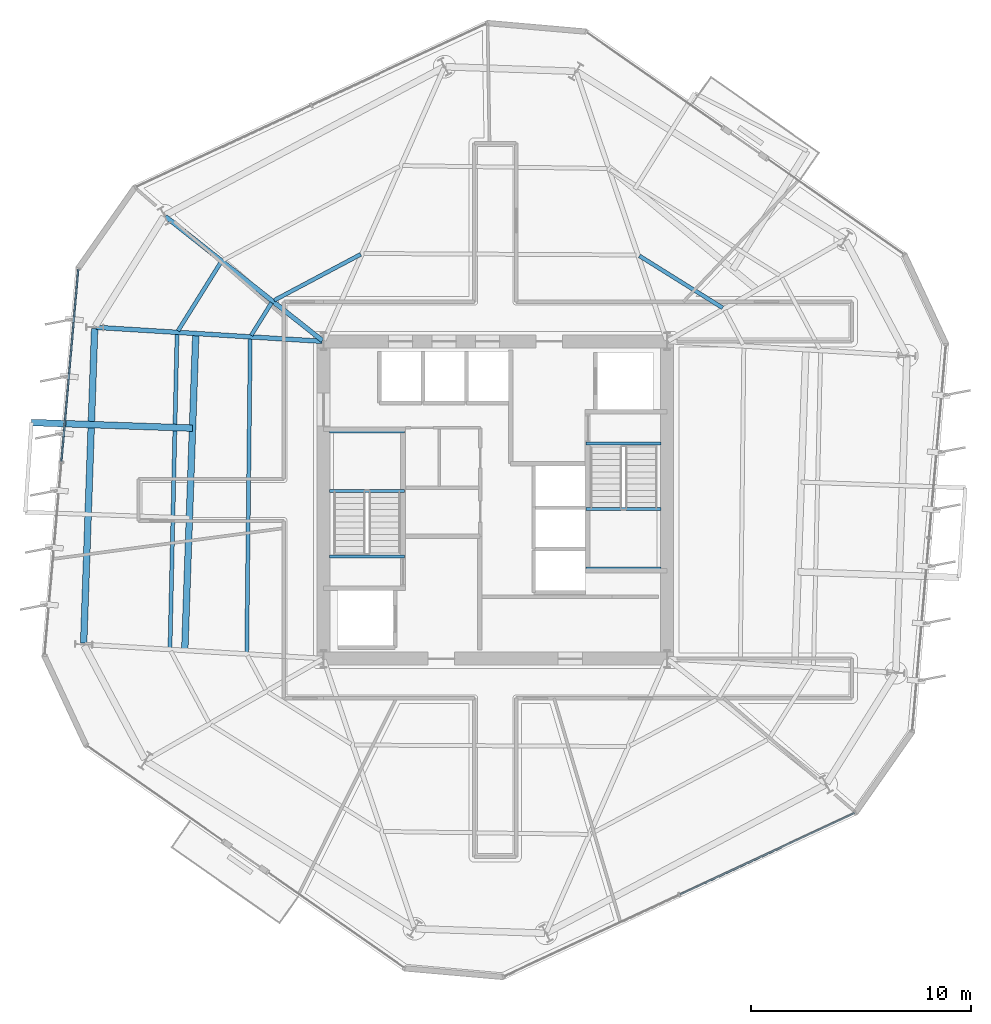
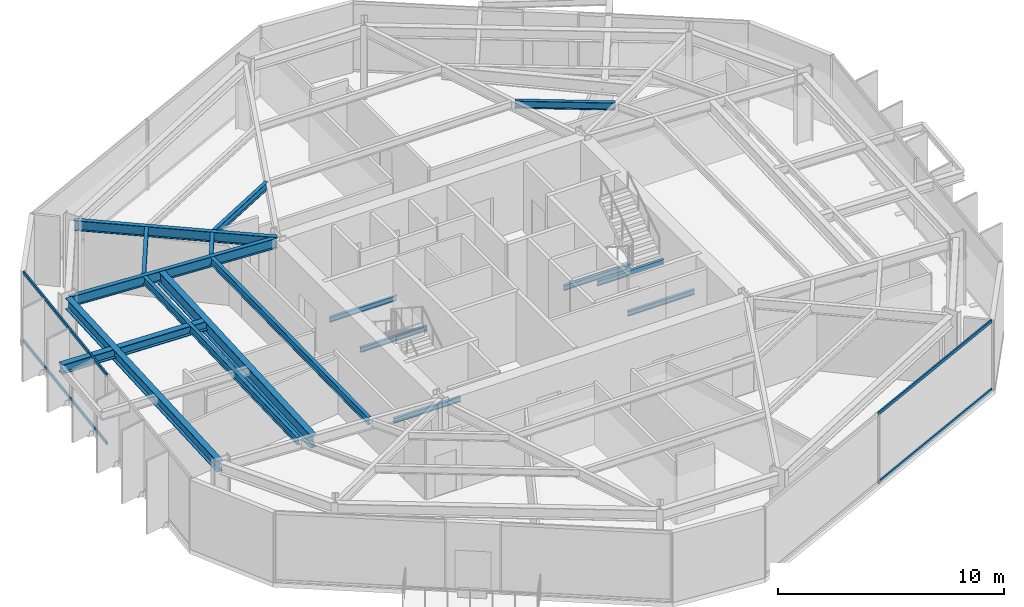
# One storey, part 3 of 12: 17 beams, 4 members, 2 elements without a shape of their own.
"""IFC4 building model written with IfcOpenShell, lengths in metres."""

from ifc_helpers import new_model, si_unit, direction, frame, origin, origin_2d, place, context, subcontext, project, spatial, rectangle, i_section, extrude, material, layer, layer_set, material_profile, profile_set, type_object, element, aggregate, save


model = new_model("IFC4")

# Units and contexts
model_context = context("Model", 3, precision=1e-05, world=origin(), true_north=direction((0.0, 1.0)))
body_context = subcontext(model_context, "Body", "Model", "MODEL_VIEW")
ifc_project = project(units=[si_unit("LENGTHUNIT", "METRE"), si_unit("AREAUNIT", "SQUARE_METRE"), si_unit("VOLUMEUNIT", "CUBIC_METRE"), si_unit("PLANEANGLEUNIT", "RADIAN"), si_unit("MASSUNIT", "GRAM", prefix="KILO")], contexts=[model_context])

# Site, building, storey
site_placement = place(None, origin())
site = spatial("IfcSite", under=ifc_project, at=site_placement, CompositionType="ELEMENT")
building_placement = place(site_placement, origin())
building = spatial("IfcBuilding", under=site, at=building_placement, Name="Kranzbogen Civic Tower", CompositionType="ELEMENT")
storey_placement = place(building_placement, frame((0.0, 0.0, 122.39990234375)))
storey = spatial("IfcBuildingStorey", under=building, at=storey_placement, Name="L29", CompositionType="ELEMENT", Elevation=122.39990234375)

# Curtain wall, members
ifc_material_1 = material(Name="Pale Anodised Aluminium", Category="aluminium")
ifc_layer = layer(ifc_material_1, 0.219970703125, Name="Pale Anodised Aluminium")
ifc_layer_set = layer_set([ifc_layer], Name="Pale Anodised Aluminium")
curtain_wall_type = type_object("IfcCurtainWallType", Name="Zone 2 Stick Curtain Wall System CW-03", PredefinedType="USERDEFINED", material=ifc_layer_set)
curtain_wall_1_placement = place(storey_placement, origin())
curtain_wall_1 = element("IfcCurtainWall", 1, at=curtain_wall_1_placement, inside=storey, type_object=curtain_wall_type, Name="L29 curtain wall CW-L29-F3", ObjectType="STICK CURTAIN WALL", PredefinedType="USERDEFINED")
ifc_material_profile_1 = material_profile(ifc_material_1, rectangle(XDim=0.074951171875, YDim=0.1650390625, at=origin_2d()), Name="ALU-T 75x165")
ifc_profile_set_1 = profile_set([ifc_material_profile_1], Name="Pale Anodised Aluminium")
member_type = type_object("IfcMemberType", Name="Curtain Wall Transom ALU-T 75x165", PredefinedType="USERDEFINED", material=ifc_profile_set_1)
member_1_placement = place(storey_placement, frame((6.06787109375, 35.464111328125, 0.030029296875), z_axis=(-0.087169374806, -0.996193505347, 0.0), x_axis=(0.996193505347, -0.087169374806, 0.0)))
member_1 = element("IfcMember", 2, at=member_1_placement, type_object=member_type, Name="CW-03 transom 1.1", ObjectType="TRANSOM", PredefinedType="USERDEFINED", context=body_context, shape_type="SweptSolid", body=[
    extrude(rectangle(XDim=0.074951171875, YDim=0.1650390625, at=origin_2d()), origin(), (0.0, 0.0, 1.0), 8.743896484375),
])
member_2_placement = place(storey_placement, frame((6.06787109375, 35.464111328125, 3.72998046875), z_axis=(-0.087169374806, -0.996193505347, 0.0), x_axis=(0.996193505347, -0.087169374806, 0.0)))
member_2 = element("IfcMember", 3, at=member_2_placement, type_object=member_type, Name="CW-03 transom 1.2", ObjectType="TRANSOM", PredefinedType="USERDEFINED", context=body_context, shape_type="SweptSolid", body=[
    extrude(rectangle(XDim=0.074951171875, YDim=0.1650390625, at=origin_2d()), origin(), (0.0, 0.0, 1.0), 8.743896484375),
])
aggregate(curtain_wall_1, [member_1, member_2])

curtain_wall_2_placement = place(storey_placement, origin())
curtain_wall_2 = element("IfcCurtainWall", 4, at=curtain_wall_2_placement, inside=storey, type_object=curtain_wall_type, Name="L29 curtain wall CW-L29-F5", ObjectType="STICK CURTAIN WALL", PredefinedType="USERDEFINED")
member_3_placement = place(storey_placement, frame((33.38330078125, 7.09326171875, 0.030029296875), z_axis=(0.906301519414, 0.422631702441, 0.0), x_axis=(-0.422631702441, 0.906301519414, 0.0)))
member_3 = element("IfcMember", 5, at=member_3_placement, type_object=member_type, Name="CW-03 transom 2.1", ObjectType="TRANSOM", PredefinedType="USERDEFINED", context=body_context, shape_type="SweptSolid", body=[
    extrude(rectangle(XDim=0.074951171875, YDim=0.1650390625, at=origin_2d()), origin(), (0.0, 0.0, 1.0), 8.74365234375),
])
member_4_placement = place(storey_placement, frame((33.38330078125, 7.09326171875, 3.72998046875), z_axis=(0.906301519414, 0.422631702441, 0.0), x_axis=(-0.422631702441, 0.906301519414, 0.0)))
member_4 = element("IfcMember", 6, at=member_4_placement, type_object=member_type, Name="CW-03 transom 2.2", ObjectType="TRANSOM", PredefinedType="USERDEFINED", context=body_context, shape_type="SweptSolid", body=[
    extrude(rectangle(XDim=0.074951171875, YDim=0.1650390625, at=origin_2d()), origin(), (0.0, 0.0, 1.0), 8.74365234375),
])
aggregate(curtain_wall_2, [member_3, member_4])

# Beams
ifc_material_2 = material(Name="Steel S355", Category="steel")
ifc_material_profile_2 = material_profile(ifc_material_2, i_section(OverallWidth=0.300048828125, OverallDepth=0.5, WebThickness=0.014404296875, FlangeThickness=0.028076171875, at=origin_2d()), Name="HEB 500")
ifc_profile_set_2 = profile_set([ifc_material_profile_2], Name="Steel S355")
beam_type_1 = type_object("IfcBeamType", Name="Perimeter Tube Spandrel Beam HEB 500", PredefinedType="SPANDREL", material=ifc_profile_set_2)
beam_1_placement = place(storey_placement, frame((11.25390625, 28.261962890625, 3.5), z_axis=(-0.999391319526, 0.034885390283, 0.0), x_axis=(-0.034885390283, -0.999391319526, 0.0)))
element("IfcBeam", 7, at=beam_1_placement, inside=storey, type_object=beam_type_1, Name="L30 back-spanned terrace beam L30-TB1-1", PredefinedType="SPANDREL", context=body_context, shape_type="SweptSolid", body=[
    extrude(i_section(OverallWidth=0.300048828125, OverallDepth=0.5, WebThickness=0.014404296875, FlangeThickness=0.028076171875, at=origin_2d()), origin(), (0.0, 0.0, 1.0), 7.313232421875),
])
ifc_material_profile_3 = material_profile(ifc_material_2, i_section(OverallWidth=0.300048828125, OverallDepth=0.60009765625, WebThickness=0.015380859375, FlangeThickness=0.030029296875, at=origin_2d()), Name="HEB 600")
ifc_profile_set_3 = profile_set([ifc_material_profile_3], Name="Steel S355")
beam_type_2 = type_object("IfcBeamType", Name="Perimeter Tube Spandrel Beam HEB 600", PredefinedType="SPANDREL", material=ifc_profile_set_3)
beam_2_placement = place(storey_placement, frame((6.81103515625, 32.783935546875, 3.460205078125), z_axis=(-0.034924229103, -0.999389963038, 0.0), x_axis=(0.999389963038, -0.034924229103, 0.0)))
element("IfcBeam", 8, at=beam_2_placement, inside=storey, type_object=beam_type_2, Name="L29 perimeter spandrel beam 12", PredefinedType="SPANDREL", context=body_context, shape_type="SweptSolid", body=[
    extrude(i_section(OverallWidth=0.300048828125, OverallDepth=0.60009765625, WebThickness=0.015380859375, FlangeThickness=0.030029296875, at=origin_2d()), origin(), (0.0, 0.0, 1.0), 14.288818359375),
])
ifc_material_profile_4 = material_profile(ifc_material_2, i_section(OverallWidth=0.300048828125, OverallDepth=0.699951171875, WebThickness=0.01708984375, FlangeThickness=0.031982421875, at=origin_2d()), Name="HEB 700")
ifc_profile_set_4 = profile_set([ifc_material_profile_4], Name="Steel S355")
beam_type_3 = type_object("IfcBeamType", Name="Perimeter Tube Spandrel Beam HEB 700", PredefinedType="SPANDREL", material=ifc_profile_set_4)
beam_3_placement = place(storey_placement, frame((11.404052734375, 32.55908203125, 3.400146484375), z_axis=(-0.034868227602, -0.99939191847, 0.0), x_axis=(0.99939191847, -0.034868227602, 0.0)))
element("IfcBeam", 9, at=beam_3_placement, inside=storey, type_object=beam_type_3, Name="L30 balcony back-span header girder L30-TB1", PredefinedType="SPANDREL", context=body_context, shape_type="SweptSolid", body=[
    extrude(i_section(OverallWidth=0.300048828125, OverallDepth=0.699951171875, WebThickness=0.01708984375, FlangeThickness=0.031982421875, at=origin_2d()), origin(), (0.0, 0.0, 1.0), 14.395751953125),
])
ifc_material_profile_5 = material_profile(ifc_material_2, i_section(OverallWidth=0.2099609375, OverallDepth=0.550048828125, WebThickness=0.010986328125, FlangeThickness=0.01708984375, at=origin_2d()), Name="IPE 550")
ifc_profile_set_5 = profile_set([ifc_material_profile_5], Name="Steel S355")
beam_type_4 = type_object("IfcBeamType", Name="Radial Tower Floor Girder IPE 550", PredefinedType="BEAM", material=ifc_profile_set_5)
beam_4_placement = place(storey_placement, frame((10.02392578125, 37.87109375, 3.485107421875), z_axis=(0.78457455683, -0.620034486763, 0.0), x_axis=(0.620034486763, 0.78457455683, 0.0)))
element("IfcBeam", 10, at=beam_4_placement, inside=storey, type_object=beam_type_4, Name="L29 radial floor girder 11", PredefinedType="BEAM", context=body_context, shape_type="SweptSolid", body=[
    extrude(i_section(OverallWidth=0.2099609375, OverallDepth=0.550048828125, WebThickness=0.010986328125, FlangeThickness=0.01708984375, at=origin_2d()), origin(), (0.0, 0.0, 1.0), 9.086669921875),
])
beam_5_placement = place(storey_placement, frame((6.873046875, 32.840087890625, 3.485107421875), z_axis=(0.998086872961, -0.061827130147, 0.0), x_axis=(0.061827130147, 0.998086872961, 0.0)))
element("IfcBeam", 11, at=beam_5_placement, inside=storey, type_object=beam_type_4, Name="L29 radial floor girder 12", PredefinedType="BEAM", context=body_context, shape_type="SweptSolid", body=[
    extrude(i_section(OverallWidth=0.2099609375, OverallDepth=0.550048828125, WebThickness=0.010986328125, FlangeThickness=0.01708984375, at=origin_2d()), origin(), (0.0, 0.0, 1.0), 10.28662109375),
])
ifc_material_profile_6 = material_profile(ifc_material_2, i_section(OverallWidth=0.179931640625, OverallDepth=0.39990234375, WebThickness=0.008544921875, FlangeThickness=0.013427734375, at=origin_2d()), Name="IPE 400")
ifc_profile_set_6 = profile_set([ifc_material_profile_6], Name="Steel S355")
beam_type_5 = type_object("IfcBeamType", Name="Secondary Composite Floor Joist IPE 400", PredefinedType="JOIST", material=ifc_profile_set_6)
beam_6_placement = place(storey_placement, frame((35.320068359375, 33.72412109375, 3.56005859375), z_axis=(-0.848093834398, 0.529846060716, 0.0), x_axis=(-0.529846060716, -0.848093834398, 0.0)))
element("IfcBeam", 12, at=beam_6_placement, inside=storey, type_object=beam_type_5, Name="L29 secondary floor joist 2.08", PredefinedType="JOIST", context=body_context, shape_type="SweptSolid", body=[
    extrude(i_section(OverallWidth=0.179931640625, OverallDepth=0.39990234375, WebThickness=0.008544921875, FlangeThickness=0.013427734375, at=origin_2d()), origin(), (0.0, 0.0, 1.0), 4.4501953125),
])
beam_7_placement = place(storey_placement, frame((18.888916015625, 36.153076171875, 3.56005859375), z_axis=(-0.882991399158, -0.469389165844, 0.0), x_axis=(0.469389165844, -0.882991399158, 0.0)))
element("IfcBeam", 13, at=beam_7_placement, inside=storey, type_object=beam_type_5, Name="L29 secondary floor joist 2.10", PredefinedType="JOIST", context=body_context, shape_type="SweptSolid", body=[
    extrude(i_section(OverallWidth=0.179931640625, OverallDepth=0.39990234375, WebThickness=0.008544921875, FlangeThickness=0.013427734375, at=origin_2d()), origin(), (0.0, 0.0, 1.0), 4.45068359375),
])
beam_8_placement = place(storey_placement, frame((12.534912109375, 35.784912109375, 3.56005859375), z_axis=(-0.529867065107, -0.848080711557, 0.0), x_axis=(0.848080711557, -0.529867065107, 0.0)))
element("IfcBeam", 14, at=beam_8_placement, inside=storey, type_object=beam_type_5, Name="L29 secondary floor joist 1.11", PredefinedType="JOIST", context=body_context, shape_type="SweptSolid", body=[
    extrude(i_section(OverallWidth=0.179931640625, OverallDepth=0.39990234375, WebThickness=0.008544921875, FlangeThickness=0.013427734375, at=origin_2d()), origin(), (0.0, 0.0, 1.0), 3.6611328125),
])
beam_9_placement = place(storey_placement, frame((14.845947265625, 33.958984375, 3.56005859375), z_axis=(-0.529572623603, -0.84826460278, 0.0), x_axis=(0.84826460278, -0.529572623603, 0.0)))
element("IfcBeam", 15, at=beam_9_placement, inside=storey, type_object=beam_type_5, Name="L29 secondary floor joist 2.11", PredefinedType="JOIST", context=body_context, shape_type="SweptSolid", body=[
    extrude(i_section(OverallWidth=0.179931640625, OverallDepth=0.39990234375, WebThickness=0.008544921875, FlangeThickness=0.013427734375, at=origin_2d()), origin(), (0.0, 0.0, 1.0), 1.75048828125),
])
beam_10_placement = place(storey_placement, frame((10.551025390625, 32.531982421875, 3.56005859375), z_axis=(-0.022402523442, -0.999749031979, 0.0), x_axis=(0.999749031979, -0.022402523442, 0.0)))
element("IfcBeam", 16, at=beam_10_placement, inside=storey, type_object=beam_type_5, Name="L29 secondary floor joist 1.12", PredefinedType="JOIST", context=body_context, shape_type="SweptSolid", body=[
    extrude(i_section(OverallWidth=0.179931640625, OverallDepth=0.39990234375, WebThickness=0.008544921875, FlangeThickness=0.013427734375, at=origin_2d()), origin(), (0.0, 0.0, 1.0), 14.24365234375),
])
beam_11_placement = place(storey_placement, frame((13.875, 32.325927734375, 3.56005859375), z_axis=(-0.011160516663, -0.999937719494, 0.0), x_axis=(0.999937719494, -0.011160516663, 0.0)))
element("IfcBeam", 17, at=beam_11_placement, inside=storey, type_object=beam_type_5, Name="L29 secondary floor joist 2.12", PredefinedType="JOIST", context=body_context, shape_type="SweptSolid", body=[
    extrude(i_section(OverallWidth=0.179931640625, OverallDepth=0.39990234375, WebThickness=0.008544921875, FlangeThickness=0.013427734375, at=origin_2d()), origin(), (0.0, 0.0, 1.0), 14.240966796875),
])
ifc_material_profile_7 = material_profile(ifc_material_2, i_section(OverallWidth=0.135009765625, OverallDepth=0.27001953125, WebThickness=0.006591796875, FlangeThickness=0.01025390625, at=origin_2d()), Name="IPE 270")
ifc_profile_set_7 = profile_set([ifc_material_profile_7], Name="Steel S355")
beam_type_6 = type_object("IfcBeamType", Name="Stair Landing Support Beam IPE 270", PredefinedType="JOIST", material=ifc_profile_set_7)
for number, where, z_axis, x_axis, name in (
    (18, (20.8798828125, 22.43994140625, -0.375), (-1.0, 0.0, 0.0), (0.0, -1.0, 0.0), "L29 ST-T1 stair floor header beam"),
    (19, (20.8798828125, 25.39990234375, 1.6650390625), (-1.0, 0.0, 0.0), (0.0, -1.0, 0.0), "L29 ST-T1 landing support beam 1.1"),
    (20, (20.8798828125, 28.10009765625, 1.6650390625), (-1.0, 0.0, 0.0), (0.0, -1.0, 0.0), "L29 ST-T1 landing support beam 1.2"),
    (21, (29.1201171875, 27.56005859375, -0.375), (1.0, 0.0, 0.0), (0.0, 1.0, 0.0), "L29 ST-T2 stair floor header beam"),
    (22, (29.1201171875, 24.60009765625, 1.6650390625), (1.0, 0.0, 0.0), (0.0, 1.0, 0.0), "L29 ST-T2 landing support beam 1.1"),
    (23, (29.1201171875, 21.89990234375, 1.6650390625), (1.0, 0.0, 0.0), (0.0, 1.0, 0.0), "L29 ST-T2 landing support beam 1.2"),
):
    element("IfcBeam", number, at=place(storey_placement, frame(where, z_axis=z_axis, x_axis=x_axis)), inside=storey, type_object=beam_type_6, Name=name, PredefinedType="JOIST", context=body_context, shape_type="SweptSolid", body=[
        extrude(i_section(OverallWidth=0.135009765625, OverallDepth=0.27001953125, WebThickness=0.006591796875, FlangeThickness=0.01025390625, at=origin_2d()), origin(), (0.0, 0.0, 1.0), 3.409912109375),
    ])

save(model, "model.ifc")
